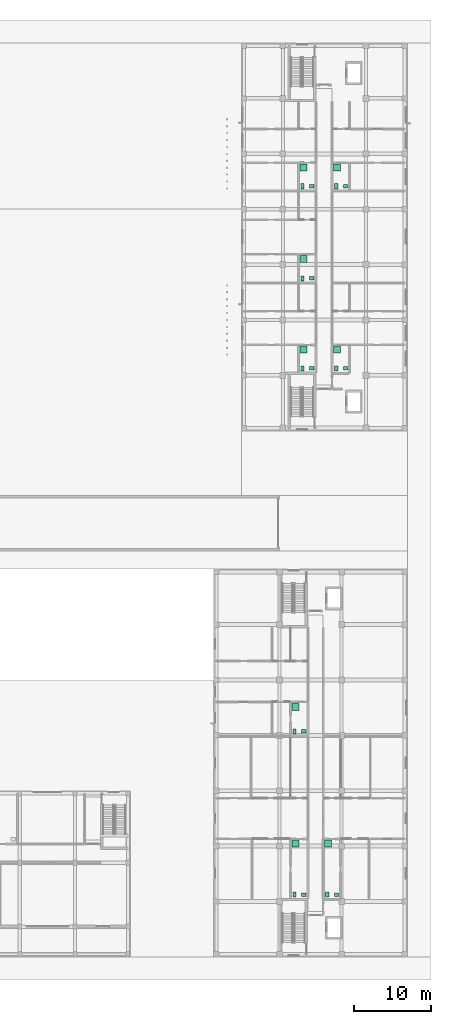
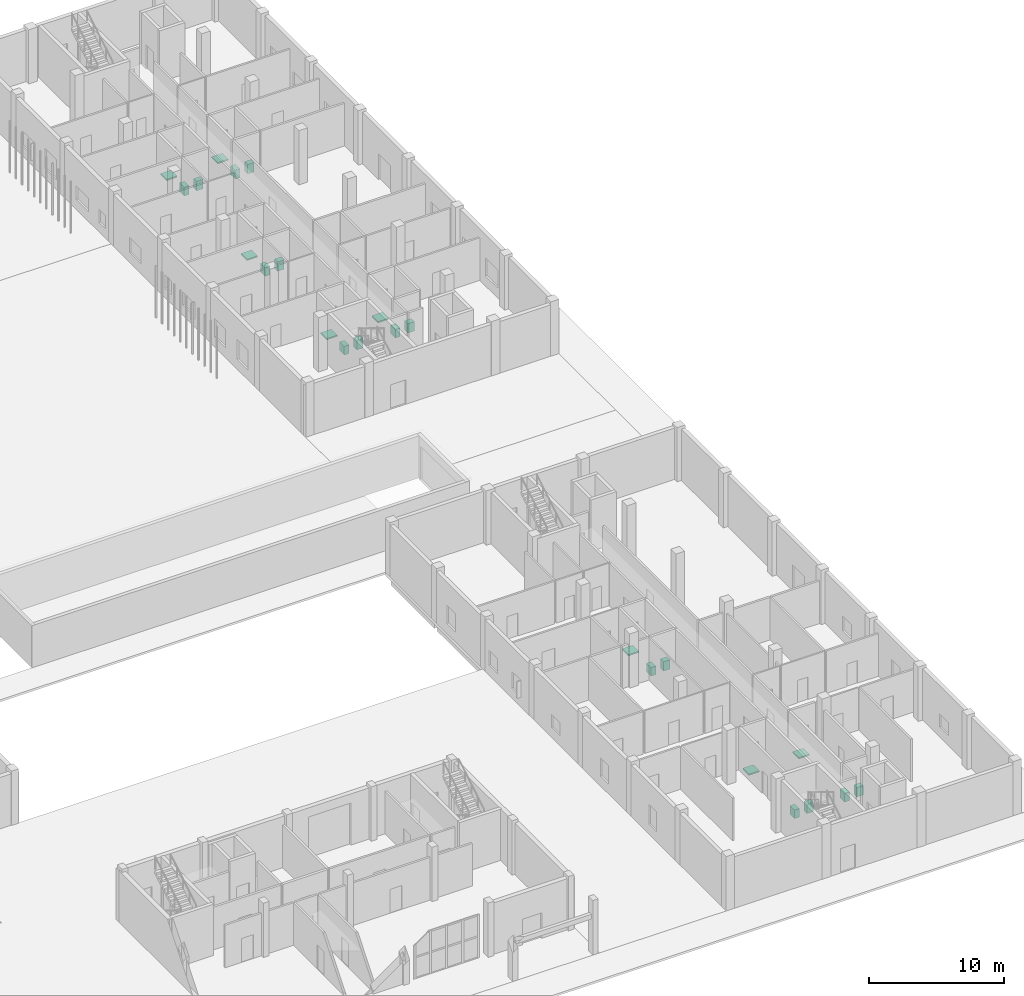
# One storey, part 85 of 85: 24 sanitary terminals.
"""IFC4 building model written with IfcOpenShell, lengths in metres."""

from ifc_helpers import new_model, si_unit, derived_unit, direction, frame, origin, origin_2d, place, context, subcontext, project, spatial, rectangle, extrude, material, type_object, element, save


model = new_model("IFC4")

# Units and contexts
model_context = context("Model", 3, precision=1e-05, world=origin(), true_north=direction((0.0, 1.0)))
body_context = subcontext(model_context, "Body", "Model", "MODEL_VIEW")
ifc_project = project(units=[si_unit("LENGTHUNIT", "METRE"), si_unit("AREAUNIT", "SQUARE_METRE"), si_unit("VOLUMEUNIT", "CUBIC_METRE"), si_unit("PLANEANGLEUNIT", "RADIAN"), si_unit("MASSUNIT", "GRAM", prefix="KILO"), derived_unit("THERMALTRANSMITTANCEUNIT", [(si_unit("MASSUNIT", "GRAM", prefix="KILO"), 1), (si_unit("TIMEUNIT", "SECOND"), -3), (si_unit("THERMODYNAMICTEMPERATUREUNIT", "KELVIN"), -1)])], contexts=[model_context])

# Site, building, storey
site_placement = place(None, origin())
site = spatial("IfcSite", under=ifc_project, at=site_placement, CompositionType="ELEMENT")
building_placement = place(site_placement, origin())
building = spatial("IfcBuilding", under=site, at=building_placement, Name="Ochrekiln Boulevard Commons", CompositionType="ELEMENT")
storey_placement = place(building_placement, origin())
storey = spatial("IfcBuildingStorey", under=building, at=storey_placement, Name="L00", CompositionType="ELEMENT", Elevation=0.0)

# Sanitary terminals
ifc_material = material(Name="Vitreous china sanitaryware")
sanitary_terminal_type_1 = type_object("IfcSanitaryTerminalType", Name="SAN-BAS", PredefinedType="WASHHANDBASIN", material=ifc_material)
for number, where, z_axis, x_axis, name in (
    (1, (160.3701171875, 76.5, 0.0), (0.0, 0.0, 1.0), (1.0, 0.0, 0.0), "L00 Washhand Basin Fixture"),
    (2, (160.3701171875, 88.2060546875, 0.0), (0.0, 0.0, 1.0), (1.0, 0.0, 0.0), "L00 Washhand Basin Fixture"),
    (3, (160.3701171875, 100.174072265625, 0.0), (0.0, 0.0, 1.0), (1.0, 0.0, 0.0), "L00 Washhand Basin Fixture"),
    (4, (164.72998046875, 76.5, 0.0), (0.0, 0.0, 1.0), (1.0, 0.0, 0.0), "L00 Washhand Basin Fixture"),
    (5, (164.72998046875, 100.174072265625, 0.0), (0.0, 0.0, 1.0), (1.0, 0.0, 0.0), "L00 Washhand Basin Fixture"),
    (6, (159.320068359375, 8.10009765625, 0.0), (0.0, 0.0, 1.0), (1.0, 0.0, 0.0), "L00 Washhand Basin Fixture"),
    (7, (159.320068359375, 29.31005859375, 0.0), (0.0, 0.0, 1.0), (1.0, 0.0, 0.0), "L00 Washhand Basin Fixture"),
    (8, (163.580078125, 8.10009765625, 0.0), (0.0, 0.0, 1.0), (1.0, 0.0, 0.0), "L00 Washhand Basin Fixture"),
):
    element("IfcSanitaryTerminal", number, at=place(storey_placement, frame(where, z_axis=z_axis, x_axis=x_axis)), inside=storey, type_object=sanitary_terminal_type_1, Name=name, PredefinedType="WASHHANDBASIN", context=body_context, shape_type="SweptSolid", body=[
        extrude(rectangle(XDim=0.550048828125, YDim=0.4599609375, at=origin_2d()), origin(), (0.0, 0.0, 1.0), 0.840087890625),
    ])
sanitary_terminal_type_2 = type_object("IfcSanitaryTerminalType", Name="SAN-SHW", PredefinedType="SHOWER", material=ifc_material)
for number, where, z_axis, x_axis, name in (
    (9, (159.27001953125, 78.943115234375, 0.0), (0.0, 0.0, 1.0), (1.0, 0.0, 0.0), "L00 Shower Receptor"),
    (10, (159.27001953125, 90.72998046875, 0.0), (0.0, 0.0, 1.0), (1.0, 0.0, 0.0), "L00 Shower Receptor"),
    (11, (159.27001953125, 102.616943359375, 0.0), (0.0, 0.0, 1.0), (1.0, 0.0, 0.0), "L00 Shower Receptor"),
    (12, (163.6298828125, 78.943115234375, 0.0), (0.0, 0.0, 1.0), (1.0, 0.0, 0.0), "L00 Shower Receptor"),
    (13, (163.6298828125, 102.616943359375, 0.0), (0.0, 0.0, 1.0), (1.0, 0.0, 0.0), "L00 Shower Receptor"),
    (14, (158.219970703125, 14.719970703125, 0.0), (0.0, 0.0, 1.0), (1.0, 0.0, 0.0), "L00 Shower Receptor"),
    (15, (158.219970703125, 32.51708984375, 0.0), (0.0, 0.0, 1.0), (1.0, 0.0, 0.0), "L00 Shower Receptor"),
    (16, (162.47998046875, 14.719970703125, 0.0), (0.0, 0.0, 1.0), (1.0, 0.0, 0.0), "L00 Shower Receptor"),
):
    element("IfcSanitaryTerminal", number, at=place(storey_placement, frame(where, z_axis=z_axis, x_axis=x_axis)), inside=storey, type_object=sanitary_terminal_type_2, Name=name, PredefinedType="SHOWER", context=body_context, shape_type="SweptSolid", body=[
        extrude(rectangle(XDim=0.89990234375, YDim=0.89990234375, at=origin_2d()), origin(), (0.0, 0.0, 1.0), 0.1201171875),
    ])
sanitary_terminal_type_3 = type_object("IfcSanitaryTerminalType", Name="SAN-WC", PredefinedType="TOILETPAN", material=ifc_material)
for number, where, z_axis, x_axis, name in (
    (17, (159.169921875, 76.5, 0.0), (0.0, 0.0, 1.0), (1.0, 0.0, 0.0), "L00 Water Closet Fixture"),
    (18, (159.169921875, 88.2060546875, 0.0), (0.0, 0.0, 1.0), (1.0, 0.0, 0.0), "L00 Water Closet Fixture"),
    (19, (159.169921875, 100.174072265625, 0.0), (0.0, 0.0, 1.0), (1.0, 0.0, 0.0), "L00 Water Closet Fixture"),
    (20, (163.530029296875, 76.5, 0.0), (0.0, 0.0, 1.0), (1.0, 0.0, 0.0), "L00 Water Closet Fixture"),
    (21, (163.530029296875, 100.174072265625, 0.0), (0.0, 0.0, 1.0), (1.0, 0.0, 0.0), "L00 Water Closet Fixture"),
    (22, (158.1201171875, 8.10009765625, 0.0), (0.0, 0.0, 1.0), (1.0, 0.0, 0.0), "L00 Water Closet Fixture"),
    (23, (158.1201171875, 29.31005859375, 0.0), (0.0, 0.0, 1.0), (1.0, 0.0, 0.0), "L00 Water Closet Fixture"),
    (24, (162.3798828125, 8.10009765625, 0.0), (0.0, 0.0, 1.0), (1.0, 0.0, 0.0), "L00 Water Closet Fixture"),
):
    element("IfcSanitaryTerminal", number, at=place(storey_placement, frame(where, z_axis=z_axis, x_axis=x_axis)), inside=storey, type_object=sanitary_terminal_type_3, Name=name, PredefinedType="TOILETPAN", context=body_context, shape_type="SweptSolid", body=[
        extrude(rectangle(XDim=0.419921875, YDim=0.679931640625, at=origin_2d()), origin(), (0.0, 0.0, 1.0), 0.780029296875),
    ])

save(model, "model.ifc")
